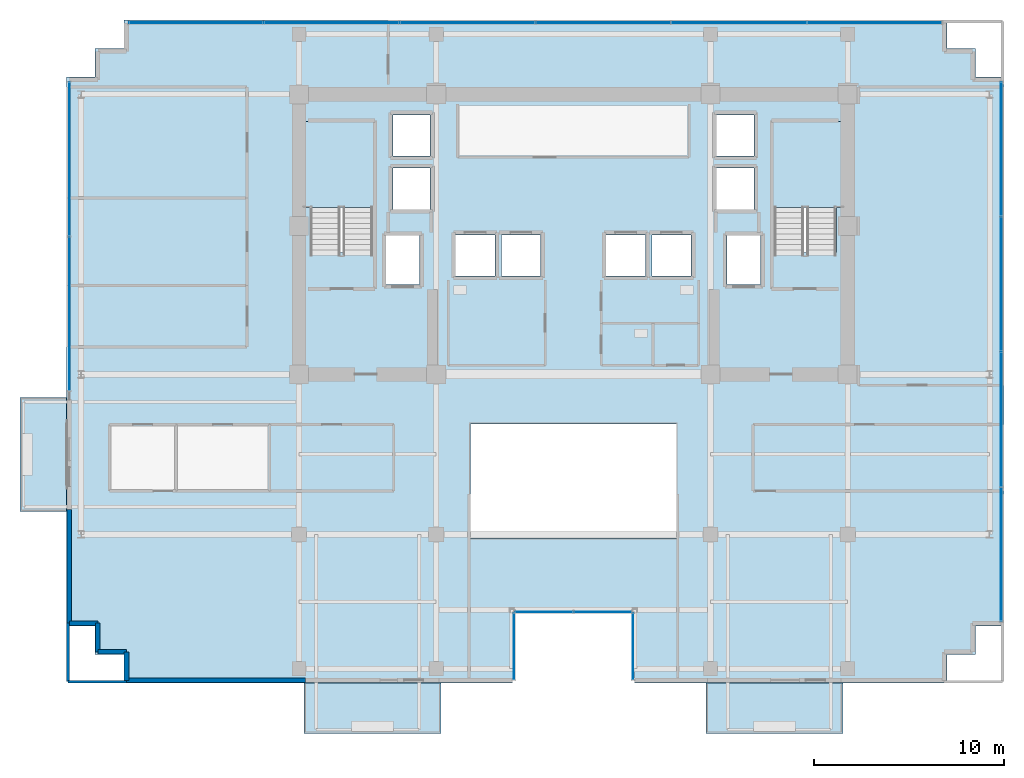
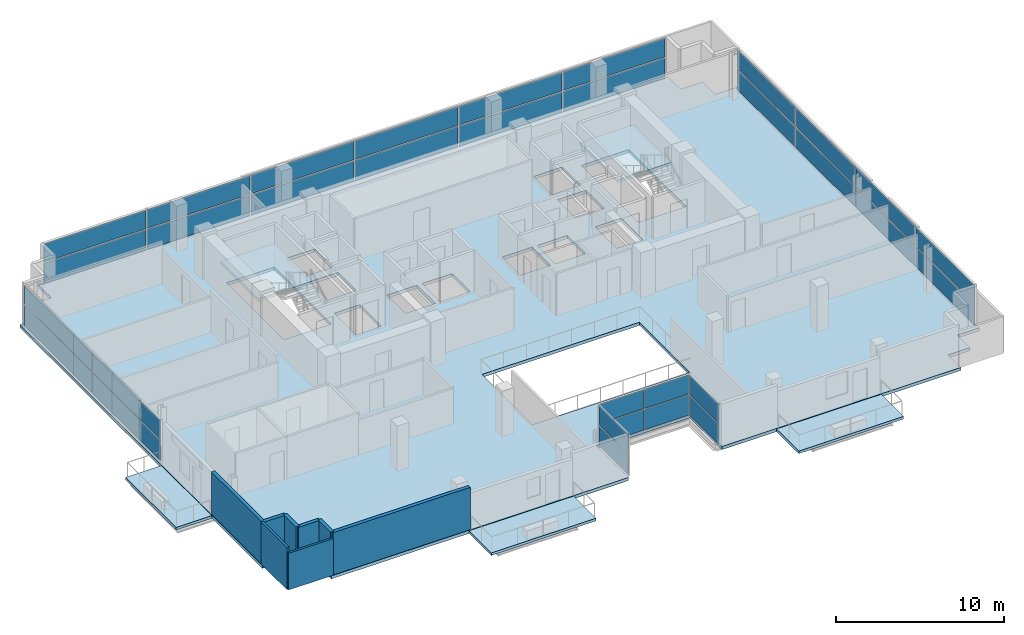
# One storey, part 13 of 21: 32 plates, 8 walls, 6 slabs, 8 elements without a shape of their own.
"""IFC4 building model written with IfcOpenShell, lengths in metres."""

from ifc_helpers import new_model, si_unit, direction, frame, frame_2d, origin, origin_2d, place, context, subcontext, project, spatial, polyline, rectangle, outline, extrude, source, transform, mapped, material, layer, layer_set, type_object, element, aggregate, save


model = new_model("IFC4")

# Units and contexts
model_context = context("Model", 3, precision=1e-05, world=origin(), true_north=direction((0.0, 1.0)))
body_context = subcontext(model_context, "Body", "Model", "MODEL_VIEW")
ifc_project = project(units=[si_unit("LENGTHUNIT", "METRE"), si_unit("AREAUNIT", "SQUARE_METRE"), si_unit("VOLUMEUNIT", "CUBIC_METRE"), si_unit("PLANEANGLEUNIT", "RADIAN"), si_unit("MASSUNIT", "GRAM", prefix="KILO")], contexts=[model_context])

# Site, building, storey
site_placement = place(None, origin())
site = spatial("IfcSite", under=ifc_project, at=site_placement, CompositionType="ELEMENT")
building_placement = place(site_placement, origin())
building = spatial("IfcBuilding", under=site, at=building_placement, Name="Zarnakvel Exchange Tower", CompositionType="ELEMENT")
storey_placement = place(building_placement, frame((0.0, 0.0, 166.0)))
storey = spatial("IfcBuildingStorey", under=building, at=storey_placement, Name="L46", CompositionType="ELEMENT", Elevation=166.0)

# Stair, slab
ifc_material_1 = material(Name="Concrete C40/50", Category="concrete")
stair_type = type_object("IfcStairType", Name="STR-01", PredefinedType="HALF_TURN_STAIR", material=ifc_material_1)
stair_1_placement = place(storey_placement, origin())
stair_1 = element("IfcStair", 1, at=stair_1_placement, inside=storey, type_object=stair_type, Name="L46 Protected Core Exit Stair ST-01", PredefinedType="HALF_TURN_STAIR")
ifc_layer_1 = layer(ifc_material_1, 0.199951171875)
ifc_layer_set_1 = layer_set([ifc_layer_1], Name="Concrete C40/50")
slab_type_1 = type_object("IfcSlabType", Name="LDG-01", PredefinedType="LANDING", material=ifc_layer_set_1)
slab_1_placement = place(storey_placement, frame((0.0, 0.0, 1.449951171875)))
slab_1 = element("IfcSlab", 2, at=slab_1_placement, type_object=slab_type_1, Name="ST-01 landing 1", PredefinedType="LANDING", context=body_context, shape_type="SweptSolid", body=[
    extrude(outline(polyline([(-14.18994140625, 7.570068359375), (-10.4599609375, 7.570068359375), (-10.4599609375, 12.080078125), (-14.18994140625, 12.080078125), (-14.18994140625, 7.570068359375)])), origin(), (0.0, 0.0, 1.0), 0.199951171875),
])
aggregate(stair_1, [slab_1])

stair_2_placement = place(storey_placement, origin())
stair_2 = element("IfcStair", 3, at=stair_2_placement, inside=storey, type_object=stair_type, Name="L46 Protected Core Exit Stair ST-02", PredefinedType="HALF_TURN_STAIR")
slab_2_placement = place(storey_placement, frame((0.0, 0.0, 1.449951171875)))
slab_2 = element("IfcSlab", 4, at=slab_2_placement, type_object=slab_type_1, Name="ST-02 landing 1", PredefinedType="LANDING", context=body_context, shape_type="SweptSolid", body=[
    extrude(outline(polyline([(10.4599609375, 7.570068359375), (14.18994140625, 7.570068359375), (14.18994140625, 12.080078125), (10.4599609375, 12.080078125), (10.4599609375, 7.570068359375)])), origin(), (0.0, 0.0, 1.0), 0.199951171875),
])
aggregate(stair_2, [slab_2])

# Slabs
ifc_layer_2 = layer(ifc_material_1, 0.22509765625)
ifc_layer_set_2 = layer_set([ifc_layer_2], Name="Concrete C40/50")
slab_type_2 = type_object("IfcSlabType", Name="SL-04", PredefinedType="FLOOR", material=ifc_layer_set_2)
slab_3_placement = place(storey_placement, frame((0.0, 0.0, -0.22509765625)))
element("IfcSlab", 5, at=slab_3_placement, inside=storey, type_object=slab_type_2, Name="L46 Primary Structural Floor Slab", PredefinedType="FLOOR", context=body_context, shape_type="SweptSolid", body=[
    extrude(outline(polyline([(-26.60009765625, -14.39990234375), (-25.10009765625, -14.39990234375), (-25.10009765625, -15.89990234375), (-23.60009765625, -15.89990234375), (-23.60009765625, -17.39990234375), (-3.199951171875, -17.39990234375), (-3.199951171875, -13.60009765625), (3.199951171875, -13.60009765625), (3.199951171875, -17.39990234375), (19.60009765625, -17.39990234375), (19.60009765625, -15.89990234375), (21.10009765625, -15.89990234375), (21.10009765625, -14.39990234375), (22.60009765625, -14.39990234375), (22.60009765625, 14.39990234375), (21.10009765625, 14.39990234375), (21.10009765625, 15.89990234375), (19.60009765625, 15.89990234375), (19.60009765625, 17.39990234375), (-23.60009765625, 17.39990234375), (-23.60009765625, 15.89990234375), (-25.10009765625, 15.89990234375), (-25.10009765625, 14.39990234375), (-26.60009765625, 14.39990234375), (-26.60009765625, -14.39990234375)]), holes=[polyline([(-5.39990234375, -9.800048828125), (5.39990234375, -9.800048828125), (5.39990234375, -3.800048828125), (-5.39990234375, -3.800048828125), (-5.39990234375, -9.800048828125)]), polyline([(-13.800048828125, 5.2099609375), (-10.5400390625, 5.2099609375), (-10.5400390625, 12.0), (-13.800048828125, 12.0), (-13.800048828125, 5.2099609375)]), polyline([(10.5400390625, 5.2099609375), (13.800048828125, 5.2099609375), (13.800048828125, 12.0), (10.5400390625, 12.0), (10.5400390625, 5.2099609375)]), polyline([(-9.830078125, 3.52001953125), (-8.070068359375, 3.52001953125), (-8.070068359375, 6.080078125), (-9.830078125, 6.080078125), (-9.830078125, 3.52001953125)]), polyline([(8.070068359375, 3.52001953125), (9.830078125, 3.52001953125), (9.830078125, 6.080078125), (8.070068359375, 6.080078125), (8.070068359375, 3.52001953125)]), polyline([(-6.179931640625, 3.969970703125), (-4.1201171875, 3.969970703125), (-4.1201171875, 6.1298828125), (-6.179931640625, 6.1298828125), (-6.179931640625, 3.969970703125)]), polyline([(-3.780029296875, 3.969970703125), (-1.719970703125, 3.969970703125), (-1.719970703125, 6.1298828125), (-3.780029296875, 6.1298828125), (-3.780029296875, 3.969970703125)]), polyline([(1.719970703125, 3.969970703125), (3.780029296875, 3.969970703125), (3.780029296875, 6.1298828125), (1.719970703125, 6.1298828125), (1.719970703125, 3.969970703125)]), polyline([(4.1201171875, 3.969970703125), (6.179931640625, 3.969970703125), (6.179931640625, 6.1298828125), (4.1201171875, 6.1298828125), (4.1201171875, 3.969970703125)]), polyline([(-9.47998046875, 7.469970703125), (-7.52001953125, 7.469970703125), (-7.52001953125, 9.6298828125), (-9.47998046875, 9.6298828125), (-9.47998046875, 7.469970703125)]), polyline([(-9.47998046875, 10.27001953125), (-7.52001953125, 10.27001953125), (-7.52001953125, 12.429931640625), (-9.47998046875, 12.429931640625), (-9.47998046875, 10.27001953125)]), polyline([(7.52001953125, 7.469970703125), (9.47998046875, 7.469970703125), (9.47998046875, 9.6298828125), (7.52001953125, 9.6298828125), (7.52001953125, 7.469970703125)]), polyline([(7.52001953125, 10.27001953125), (9.47998046875, 10.27001953125), (9.47998046875, 12.429931640625), (7.52001953125, 12.429931640625), (7.52001953125, 10.27001953125)])]), origin(), (0.0, 0.0, 1.0), 0.22509765625),
])
ifc_layer_3 = layer(ifc_material_1, 0.18994140625)
ifc_layer_set_3 = layer_set([ifc_layer_3], Name="Concrete C40/50")
slab_type_3 = type_object("IfcSlabType", Name="SL-08", PredefinedType="USERDEFINED", material=ifc_layer_set_3)
slab_4_placement = place(storey_placement, frame((0.0, 0.0, -0.22509765625)))
element("IfcSlab", 6, at=slab_4_placement, inside=storey, type_object=slab_type_3, Name="L46 Planted Loggia Balcony Slab BAL-L46-SW", ObjectType="BALCONY", PredefinedType="USERDEFINED", context=body_context, shape_type="SweptSolid", body=[
    extrude(outline(polyline([(-14.14990234375, -20.050048828125), (-6.949951171875, -20.050048828125), (-6.949951171875, -17.39990234375), (-14.14990234375, -17.39990234375), (-14.14990234375, -20.050048828125)])), origin(), (0.0, 0.0, 1.0), 0.190185546875),
])
slab_5_placement = place(storey_placement, frame((0.0, 0.0, -0.22509765625)))
element("IfcSlab", 7, at=slab_5_placement, inside=storey, type_object=slab_type_3, Name="L46 Planted Loggia Balcony Slab BAL-L46-SE", ObjectType="BALCONY", PredefinedType="USERDEFINED", context=body_context, shape_type="SweptSolid", body=[
    extrude(outline(polyline([(6.949951171875, -20.050048828125), (14.14990234375, -20.050048828125), (14.14990234375, -17.39990234375), (6.949951171875, -17.39990234375), (6.949951171875, -20.050048828125)])), origin(), (0.0, 0.0, 1.0), 0.190185546875),
])
slab_6_placement = place(storey_placement, frame((0.0, 0.0, -0.22509765625)))
element("IfcSlab", 8, at=slab_6_placement, inside=storey, type_object=slab_type_3, Name="L46 Planted Loggia Balcony Slab BAL-L46-W", ObjectType="BALCONY", PredefinedType="USERDEFINED", context=body_context, shape_type="SweptSolid", body=[
    extrude(outline(polyline([(-29.050048828125, -8.39990234375), (-26.60009765625, -8.39990234375), (-26.60009765625, -2.39990234375), (-29.050048828125, -2.39990234375), (-29.050048828125, -8.39990234375)])), origin(), (0.0, 0.0, 1.0), 0.190185546875),
])

# Curtain wall, plate
ifc_material_2 = material(Name="Architectural Bronze Anodised Aluminium", Category="aluminium")
ifc_layer_4 = layer(ifc_material_2, 0.179931640625)
ifc_layer_set_4 = layer_set([ifc_layer_4], Name="Architectural Bronze Anodised Aluminium")
curtain_wall_type_1 = type_object("IfcCurtainWallType", Name="CW-05", PredefinedType="NOTDEFINED", material=ifc_layer_set_4)
curtain_wall_1_placement = place(storey_placement, origin())
curtain_wall_1 = element("IfcCurtainWall", 9, at=curtain_wall_1_placement, inside=storey, type_object=curtain_wall_type_1, Name="L46 Curtain Wall CW-L46-SLW (CW-05)", PredefinedType="NOTDEFINED")
ifc_material_3 = material(Name="Double Low-E Laminated Vision Glass", Category="glass")
ifc_layer_5 = layer(ifc_material_3, 0.02587890625)
ifc_layer_set_5 = layer_set([ifc_layer_5], Name="Double Low-E Laminated Vision Glass")
plate_type_1 = type_object("IfcPlateType", Name="CWP-05", PredefinedType="CURTAIN_PANEL", material=ifc_layer_set_5)
shared_shape_1 = source(origin(), body_context, "Body", "SweptSolid", [
    extrude(rectangle(XDim=3.4599609375, YDim=0.02587890625, at=origin_2d()), origin(), (0.0, 0.0, 1.0), 1.483642578125),
])
plate_1_placement = place(storey_placement, frame((-3.1201171875, -15.47998046875, 0.06982421875), z_axis=(0.0, 0.0, 1.0), x_axis=(0.0, 1.0, 0.0)))
plate_1 = element("IfcPlate", 10, at=plate_1_placement, type_object=plate_type_1, Name="CW-05 panel 1.1", PredefinedType="CURTAIN_PANEL", context=body_context, shape_type="MappedRepresentation", body=[
    mapped(shared_shape_1, transform((0.0, 0.0, 0.0), x_axis=(1.0, 0.0, 0.0), y_axis=(0.0, 1.0, 0.0), z_axis=(0.0, 0.0, 1.0), scale=1.0)),
])

curtain_wall_2_placement = place(storey_placement, origin())
curtain_wall_2 = element("IfcCurtainWall", 11, at=curtain_wall_2_placement, inside=storey, type_object=curtain_wall_type_1, Name="L46 Curtain Wall CW-L46-SLE (CW-05)", PredefinedType="NOTDEFINED")
plate_2_placement = place(storey_placement, frame((3.1201171875, -15.47998046875, 0.06982421875), z_axis=(0.0, 0.0, 1.0), x_axis=(0.0, -1.0, 0.0)))
plate_2 = element("IfcPlate", 12, at=plate_2_placement, type_object=plate_type_1, Name="CW-05 panel 1.1", PredefinedType="CURTAIN_PANEL", context=body_context, shape_type="MappedRepresentation", body=[
    mapped(shared_shape_1, transform((0.0, 0.0, 0.0), x_axis=(1.0, 0.0, 0.0), y_axis=(0.0, 1.0, 0.0), z_axis=(0.0, 0.0, 1.0), scale=1.0)),
])

# Plate
shared_shape_2 = source(origin(), body_context, "Body", "SweptSolid", [
    extrude(rectangle(XDim=3.4599609375, YDim=0.02587890625, at=origin_2d()), origin(), (0.0, 0.0, 1.0), 1.361328125),
])
plate_3_placement = place(storey_placement, frame((-3.1201171875, -15.47998046875, 1.62353515625), z_axis=(0.0, 0.0, 1.0), x_axis=(0.0, 1.0, 0.0)))
plate_3 = element("IfcPlate", 13, at=plate_3_placement, type_object=plate_type_1, Name="CW-05 panel 1.2", PredefinedType="CURTAIN_PANEL", context=body_context, shape_type="MappedRepresentation", body=[
    mapped(shared_shape_2, transform((0.0, 0.0, 0.0), x_axis=(1.0, 0.0, 0.0), y_axis=(0.0, 1.0, 0.0), z_axis=(0.0, 0.0, 1.0), scale=1.0)),
])

aggregate(curtain_wall_1, [plate_1, plate_3])

plate_4_placement = place(storey_placement, frame((3.1201171875, -15.47998046875, 1.62353515625), z_axis=(0.0, 0.0, 1.0), x_axis=(0.0, -1.0, 0.0)))
plate_4 = element("IfcPlate", 14, at=plate_4_placement, type_object=plate_type_1, Name="CW-05 panel 1.2", PredefinedType="CURTAIN_PANEL", context=body_context, shape_type="MappedRepresentation", body=[
    mapped(shared_shape_2, transform((0.0, 0.0, 0.0), x_axis=(1.0, 0.0, 0.0), y_axis=(0.0, 1.0, 0.0), z_axis=(0.0, 0.0, 1.0), scale=1.0)),
])

aggregate(curtain_wall_2, [plate_2, plate_4])

# Curtain wall, plates
curtain_wall_3_placement = place(storey_placement, origin())
curtain_wall_3 = element("IfcCurtainWall", 15, at=curtain_wall_3_placement, inside=storey, type_object=curtain_wall_type_1, Name="L46 Curtain Wall CW-L46-SLB (CW-05)", PredefinedType="NOTDEFINED")
shared_shape_3 = source(origin(), body_context, "Body", "SweptSolid", [
    extrude(rectangle(XDim=3.014892578125, YDim=0.02587890625, at=origin_2d()), origin(), (0.0, 0.0, 1.0), 1.483642578125),
])
plate_5_placement = place(storey_placement, frame((-1.54248046875, -13.679931640625, 0.06982421875), z_axis=(0.0, 0.0, 1.0), x_axis=(1.0, 0.0, 0.0)))
plate_5 = element("IfcPlate", 16, at=plate_5_placement, type_object=plate_type_1, Name="CW-05 panel 1.1", PredefinedType="CURTAIN_PANEL", context=body_context, shape_type="MappedRepresentation", body=[
    mapped(shared_shape_3, transform((0.0, 0.0, 0.0), x_axis=(1.0, 0.0, 0.0), y_axis=(0.0, 1.0, 0.0), z_axis=(0.0, 0.0, 1.0), scale=1.0)),
])
plate_6_placement = place(storey_placement, frame((1.54248046875, -13.679931640625, 0.06982421875), z_axis=(0.0, 0.0, 1.0), x_axis=(1.0, 0.0, 0.0)))
plate_6 = element("IfcPlate", 17, at=plate_6_placement, type_object=plate_type_1, Name="CW-05 panel 2.1", PredefinedType="CURTAIN_PANEL", context=body_context, shape_type="MappedRepresentation", body=[
    mapped(shared_shape_3, transform((0.0, 0.0, 0.0), x_axis=(1.0, 0.0, 0.0), y_axis=(0.0, 1.0, 0.0), z_axis=(0.0, 0.0, 1.0), scale=1.0)),
])
shared_shape_4 = source(origin(), body_context, "Body", "SweptSolid", [
    extrude(rectangle(XDim=3.014892578125, YDim=0.02587890625, at=origin_2d()), origin(), (0.0, 0.0, 1.0), 1.361328125),
])
plate_7_placement = place(storey_placement, frame((-1.54248046875, -13.679931640625, 1.62353515625), z_axis=(0.0, 0.0, 1.0), x_axis=(1.0, 0.0, 0.0)))
plate_7 = element("IfcPlate", 18, at=plate_7_placement, type_object=plate_type_1, Name="CW-05 panel 1.2", PredefinedType="CURTAIN_PANEL", context=body_context, shape_type="MappedRepresentation", body=[
    mapped(shared_shape_4, transform((0.0, 0.0, 0.0), x_axis=(1.0, 0.0, 0.0), y_axis=(0.0, 1.0, 0.0), z_axis=(0.0, 0.0, 1.0), scale=1.0)),
])
plate_8_placement = place(storey_placement, frame((1.54248046875, -13.679931640625, 1.62353515625), z_axis=(0.0, 0.0, 1.0), x_axis=(1.0, 0.0, 0.0)))
plate_8 = element("IfcPlate", 19, at=plate_8_placement, type_object=plate_type_1, Name="CW-05 panel 2.2", PredefinedType="CURTAIN_PANEL", context=body_context, shape_type="MappedRepresentation", body=[
    mapped(shared_shape_4, transform((0.0, 0.0, 0.0), x_axis=(1.0, 0.0, 0.0), y_axis=(0.0, 1.0, 0.0), z_axis=(0.0, 0.0, 1.0), scale=1.0)),
])
aggregate(curtain_wall_3, [plate_5, plate_7, plate_6, plate_8])

ifc_layer_6 = layer(ifc_material_2, 0.219970703125)
ifc_layer_set_6 = layer_set([ifc_layer_6], Name="Architectural Bronze Anodised Aluminium")
curtain_wall_type_2 = type_object("IfcCurtainWallType", Name="CW-03", PredefinedType="NOTDEFINED", material=ifc_layer_set_6)
curtain_wall_4_placement = place(storey_placement, origin())
curtain_wall_4 = element("IfcCurtainWall", 20, at=curtain_wall_4_placement, inside=storey, type_object=curtain_wall_type_2, Name="L46 Curtain Wall CW-L46-N1 (CW-03)", PredefinedType="NOTDEFINED")
ifc_layer_7 = layer(ifc_material_3, 0.030029296875)
ifc_layer_set_7 = layer_set([ifc_layer_7], Name="Double Low-E Laminated Vision Glass")
plate_type_2 = type_object("IfcPlateType", Name="CWP-03", PredefinedType="CURTAIN_PANEL", material=ifc_layer_set_7)
shared_shape_5 = source(origin(), body_context, "Body", "SweptSolid", [
    extrude(rectangle(XDim=7.013427734375, YDim=0.030029296875, at=origin_2d()), origin(), (0.0, 0.0, 1.0), 1.468505859375),
])
plate_9_placement = place(storey_placement, frame((-19.813232421875, 17.260009765625, 0.080078125), z_axis=(0.0, 0.0, 1.0), x_axis=(1.0, 0.0, 0.0)))
plate_9 = element("IfcPlate", 21, at=plate_9_placement, type_object=plate_type_2, Name="CW-03 panel 1.1", PredefinedType="CURTAIN_PANEL", context=body_context, shape_type="MappedRepresentation", body=[
    mapped(shared_shape_5, transform((0.0, 0.0, 0.0), x_axis=(1.0, 0.0, 0.0), y_axis=(0.0, 1.0, 0.0), z_axis=(0.0, 0.0, 1.0), scale=1.0)),
])
plate_10_placement = place(storey_placement, frame((15.813232421875, 17.260009765625, 0.080078125), z_axis=(0.0, 0.0, 1.0), x_axis=(1.0, 0.0, 0.0)))
plate_10 = element("IfcPlate", 22, at=plate_10_placement, type_object=plate_type_2, Name="CW-03 panel 6.1", PredefinedType="CURTAIN_PANEL", context=body_context, shape_type="MappedRepresentation", body=[
    mapped(shared_shape_5, transform((0.0, 0.0, 0.0), x_axis=(1.0, 0.0, 0.0), y_axis=(0.0, 1.0, 0.0), z_axis=(0.0, 0.0, 1.0), scale=1.0)),
])
shared_shape_6 = source(origin(), body_context, "Body", "SweptSolid", [
    extrude(rectangle(XDim=7.013427734375, YDim=0.030029296875, at=origin_2d()), origin(), (0.0, 0.0, 1.0), 1.346435546875),
])
plate_11_placement = place(storey_placement, frame((-19.813232421875, 17.260009765625, 1.62841796875), z_axis=(0.0, 0.0, 1.0), x_axis=(1.0, 0.0, 0.0)))
plate_11 = element("IfcPlate", 23, at=plate_11_placement, type_object=plate_type_2, Name="CW-03 panel 1.2", PredefinedType="CURTAIN_PANEL", context=body_context, shape_type="MappedRepresentation", body=[
    mapped(shared_shape_6, transform((0.0, 0.0, 0.0), x_axis=(1.0, 0.0, 0.0), y_axis=(0.0, 1.0, 0.0), z_axis=(0.0, 0.0, 1.0), scale=1.0)),
])
plate_12_placement = place(storey_placement, frame((15.813232421875, 17.260009765625, 1.62841796875), z_axis=(0.0, 0.0, 1.0), x_axis=(1.0, 0.0, 0.0)))
plate_12 = element("IfcPlate", 24, at=plate_12_placement, type_object=plate_type_2, Name="CW-03 panel 6.2", PredefinedType="CURTAIN_PANEL", context=body_context, shape_type="MappedRepresentation", body=[
    mapped(shared_shape_6, transform((0.0, 0.0, 0.0), x_axis=(1.0, 0.0, 0.0), y_axis=(0.0, 1.0, 0.0), z_axis=(0.0, 0.0, 1.0), scale=1.0)),
])
shared_shape_7 = source(origin(), body_context, "Body", "SweptSolid", [
    extrude(rectangle(XDim=7.05322265625, YDim=0.030029296875, at=origin_2d()), origin(), (0.0, 0.0, 1.0), 1.468505859375),
])
plate_13_placement = place(storey_placement, frame((-12.699951171875, 17.260009765625, 0.080078125), z_axis=(0.0, 0.0, 1.0), x_axis=(1.0, 0.0, 0.0)))
plate_13 = element("IfcPlate", 25, at=plate_13_placement, type_object=plate_type_2, Name="CW-03 panel 2.1", PredefinedType="CURTAIN_PANEL", context=body_context, shape_type="MappedRepresentation", body=[
    mapped(shared_shape_7, transform((0.0, 0.0, 0.0), x_axis=(1.0, 0.0, 0.0), y_axis=(0.0, 1.0, 0.0), z_axis=(0.0, 0.0, 1.0), scale=1.0)),
])
plate_14_placement = place(storey_placement, frame((-5.566650390625, 17.260009765625, 0.080078125), z_axis=(0.0, 0.0, 1.0), x_axis=(1.0, 0.0, 0.0)))
plate_14 = element("IfcPlate", 26, at=plate_14_placement, type_object=plate_type_2, Name="CW-03 panel 3.1", PredefinedType="CURTAIN_PANEL", context=body_context, shape_type="MappedRepresentation", body=[
    mapped(shared_shape_7, transform((0.0, 0.0, 0.0), x_axis=(1.0, 0.0, 0.0), y_axis=(0.0, 1.0, 0.0), z_axis=(0.0, 0.0, 1.0), scale=1.0)),
])
plate_15_placement = place(storey_placement, frame((1.566650390625, 17.260009765625, 0.080078125), z_axis=(0.0, 0.0, 1.0), x_axis=(1.0, 0.0, 0.0)))
plate_15 = element("IfcPlate", 27, at=plate_15_placement, type_object=plate_type_2, Name="CW-03 panel 4.1", PredefinedType="CURTAIN_PANEL", context=body_context, shape_type="MappedRepresentation", body=[
    mapped(shared_shape_7, transform((0.0, 0.0, 0.0), x_axis=(1.0, 0.0, 0.0), y_axis=(0.0, 1.0, 0.0), z_axis=(0.0, 0.0, 1.0), scale=1.0)),
])
plate_16_placement = place(storey_placement, frame((8.699951171875, 17.260009765625, 0.080078125), z_axis=(0.0, 0.0, 1.0), x_axis=(1.0, 0.0, 0.0)))
plate_16 = element("IfcPlate", 28, at=plate_16_placement, type_object=plate_type_2, Name="CW-03 panel 5.1", PredefinedType="CURTAIN_PANEL", context=body_context, shape_type="MappedRepresentation", body=[
    mapped(shared_shape_7, transform((0.0, 0.0, 0.0), x_axis=(1.0, 0.0, 0.0), y_axis=(0.0, 1.0, 0.0), z_axis=(0.0, 0.0, 1.0), scale=1.0)),
])
shared_shape_8 = source(origin(), body_context, "Body", "SweptSolid", [
    extrude(rectangle(XDim=7.05322265625, YDim=0.030029296875, at=origin_2d()), origin(), (0.0, 0.0, 1.0), 1.346435546875),
])
plate_17_placement = place(storey_placement, frame((-12.699951171875, 17.260009765625, 1.62841796875), z_axis=(0.0, 0.0, 1.0), x_axis=(1.0, 0.0, 0.0)))
plate_17 = element("IfcPlate", 29, at=plate_17_placement, type_object=plate_type_2, Name="CW-03 panel 2.2", PredefinedType="CURTAIN_PANEL", context=body_context, shape_type="MappedRepresentation", body=[
    mapped(shared_shape_8, transform((0.0, 0.0, 0.0), x_axis=(1.0, 0.0, 0.0), y_axis=(0.0, 1.0, 0.0), z_axis=(0.0, 0.0, 1.0), scale=1.0)),
])
plate_18_placement = place(storey_placement, frame((-5.566650390625, 17.260009765625, 1.62841796875), z_axis=(0.0, 0.0, 1.0), x_axis=(1.0, 0.0, 0.0)))
plate_18 = element("IfcPlate", 30, at=plate_18_placement, type_object=plate_type_2, Name="CW-03 panel 3.2", PredefinedType="CURTAIN_PANEL", context=body_context, shape_type="MappedRepresentation", body=[
    mapped(shared_shape_8, transform((0.0, 0.0, 0.0), x_axis=(1.0, 0.0, 0.0), y_axis=(0.0, 1.0, 0.0), z_axis=(0.0, 0.0, 1.0), scale=1.0)),
])
plate_19_placement = place(storey_placement, frame((1.566650390625, 17.260009765625, 1.62841796875), z_axis=(0.0, 0.0, 1.0), x_axis=(1.0, 0.0, 0.0)))
plate_19 = element("IfcPlate", 31, at=plate_19_placement, type_object=plate_type_2, Name="CW-03 panel 4.2", PredefinedType="CURTAIN_PANEL", context=body_context, shape_type="MappedRepresentation", body=[
    mapped(shared_shape_8, transform((0.0, 0.0, 0.0), x_axis=(1.0, 0.0, 0.0), y_axis=(0.0, 1.0, 0.0), z_axis=(0.0, 0.0, 1.0), scale=1.0)),
])
plate_20_placement = place(storey_placement, frame((8.699951171875, 17.260009765625, 1.62841796875), z_axis=(0.0, 0.0, 1.0), x_axis=(1.0, 0.0, 0.0)))
plate_20 = element("IfcPlate", 32, at=plate_20_placement, type_object=plate_type_2, Name="CW-03 panel 5.2", PredefinedType="CURTAIN_PANEL", context=body_context, shape_type="MappedRepresentation", body=[
    mapped(shared_shape_8, transform((0.0, 0.0, 0.0), x_axis=(1.0, 0.0, 0.0), y_axis=(0.0, 1.0, 0.0), z_axis=(0.0, 0.0, 1.0), scale=1.0)),
])
aggregate(curtain_wall_4, [plate_9, plate_11, plate_13, plate_17, plate_14, plate_18, plate_15, plate_19, plate_16, plate_20, plate_10, plate_12])

ifc_layer_8 = layer(ifc_material_2, 0.199951171875)
ifc_layer_set_8 = layer_set([ifc_layer_8], Name="Architectural Bronze Anodised Aluminium")
curtain_wall_type_3 = type_object("IfcCurtainWallType", Name="CW-04", PredefinedType="NOTDEFINED", material=ifc_layer_set_8)
curtain_wall_5_placement = place(storey_placement, origin())
curtain_wall_5 = element("IfcCurtainWall", 33, at=curtain_wall_5_placement, inside=storey, type_object=curtain_wall_type_3, Name="L46 Curtain Wall CW-L46-WN (CW-04)", PredefinedType="NOTDEFINED")
ifc_layer_9 = layer(ifc_material_3, 0.028076171875)
ifc_layer_set_9 = layer_set([ifc_layer_9], Name="Double Low-E Laminated Vision Glass")
plate_type_3 = type_object("IfcPlateType", Name="CWP-04", PredefinedType="CURTAIN_PANEL", material=ifc_layer_set_9)
shared_shape_9 = source(origin(), body_context, "Body", "SweptSolid", [
    extrude(rectangle(XDim=8.03759765625, YDim=0.028076171875, at=origin_2d()), origin(), (0.0, 0.0, 1.0), 1.47607421875),
])
plate_21_placement = place(storey_placement, frame((-26.4599609375, 1.99365234375, 0.074951171875), z_axis=(0.0, 0.0, 1.0), x_axis=(0.0, 1.0, 0.0)))
plate_21 = element("IfcPlate", 34, at=plate_21_placement, type_object=plate_type_3, Name="CW-04 panel 1.1", PredefinedType="CURTAIN_PANEL", context=body_context, shape_type="MappedRepresentation", body=[
    mapped(shared_shape_9, transform((0.0, 0.0, 0.0), x_axis=(1.0, 0.0, 0.0), y_axis=(0.0, 1.0, 0.0), z_axis=(0.0, 0.0, 1.0), scale=1.0)),
])
plate_22_placement = place(storey_placement, frame((-26.4599609375, 10.106201171875, 0.074951171875), z_axis=(0.0, 0.0, 1.0), x_axis=(0.0, 1.0, 0.0)))
plate_22 = element("IfcPlate", 35, at=plate_22_placement, type_object=plate_type_3, Name="CW-04 panel 2.1", PredefinedType="CURTAIN_PANEL", context=body_context, shape_type="MappedRepresentation", body=[
    mapped(shared_shape_9, transform((0.0, 0.0, 0.0), x_axis=(1.0, 0.0, 0.0), y_axis=(0.0, 1.0, 0.0), z_axis=(0.0, 0.0, 1.0), scale=1.0)),
])
shared_shape_10 = source(origin(), body_context, "Body", "SweptSolid", [
    extrude(rectangle(XDim=8.03759765625, YDim=0.028076171875, at=origin_2d()), origin(), (0.0, 0.0, 1.0), 1.35400390625),
])
plate_23_placement = place(storey_placement, frame((-26.4599609375, 1.99365234375, 1.6259765625), z_axis=(0.0, 0.0, 1.0), x_axis=(0.0, 1.0, 0.0)))
plate_23 = element("IfcPlate", 36, at=plate_23_placement, type_object=plate_type_3, Name="CW-04 panel 1.2", PredefinedType="CURTAIN_PANEL", context=body_context, shape_type="MappedRepresentation", body=[
    mapped(shared_shape_10, transform((0.0, 0.0, 0.0), x_axis=(1.0, 0.0, 0.0), y_axis=(0.0, 1.0, 0.0), z_axis=(0.0, 0.0, 1.0), scale=1.0)),
])
plate_24_placement = place(storey_placement, frame((-26.4599609375, 10.106201171875, 1.6259765625), z_axis=(0.0, 0.0, 1.0), x_axis=(0.0, 1.0, 0.0)))
plate_24 = element("IfcPlate", 37, at=plate_24_placement, type_object=plate_type_3, Name="CW-04 panel 2.2", PredefinedType="CURTAIN_PANEL", context=body_context, shape_type="MappedRepresentation", body=[
    mapped(shared_shape_10, transform((0.0, 0.0, 0.0), x_axis=(1.0, 0.0, 0.0), y_axis=(0.0, 1.0, 0.0), z_axis=(0.0, 0.0, 1.0), scale=1.0)),
])
aggregate(curtain_wall_5, [plate_21, plate_23, plate_22, plate_24])

curtain_wall_6_placement = place(storey_placement, origin())
curtain_wall_6 = element("IfcCurtainWall", 38, at=curtain_wall_6_placement, inside=storey, type_object=curtain_wall_type_3, Name="L46 Curtain Wall CW-L46-E1 (CW-04)", PredefinedType="NOTDEFINED")
shared_shape_11 = source(origin(), body_context, "Body", "SweptSolid", [
    extrude(rectangle(XDim=6.987548828125, YDim=0.028076171875, at=origin_2d()), origin(), (0.0, 0.0, 1.0), 1.47607421875),
])
plate_25_placement = place(storey_placement, frame((22.4599609375, -10.63134765625, 0.074951171875), z_axis=(0.0, 0.0, 1.0), x_axis=(0.0, 1.0, 0.0)))
plate_25 = element("IfcPlate", 39, at=plate_25_placement, type_object=plate_type_3, Name="CW-04 panel 1.1", PredefinedType="CURTAIN_PANEL", context=body_context, shape_type="MappedRepresentation", body=[
    mapped(shared_shape_11, transform((0.0, 0.0, 0.0), x_axis=(1.0, 0.0, 0.0), y_axis=(0.0, 1.0, 0.0), z_axis=(0.0, 0.0, 1.0), scale=1.0)),
])
plate_26_placement = place(storey_placement, frame((22.4599609375, 10.63134765625, 0.074951171875), z_axis=(0.0, 0.0, 1.0), x_axis=(0.0, 1.0, 0.0)))
plate_26 = element("IfcPlate", 40, at=plate_26_placement, type_object=plate_type_3, Name="CW-04 panel 4.1", PredefinedType="CURTAIN_PANEL", context=body_context, shape_type="MappedRepresentation", body=[
    mapped(shared_shape_11, transform((0.0, 0.0, 0.0), x_axis=(1.0, 0.0, 0.0), y_axis=(0.0, 1.0, 0.0), z_axis=(0.0, 0.0, 1.0), scale=1.0)),
])
shared_shape_12 = source(origin(), body_context, "Body", "SweptSolid", [
    extrude(rectangle(XDim=6.987548828125, YDim=0.028076171875, at=origin_2d()), origin(), (0.0, 0.0, 1.0), 1.35400390625),
])
plate_27_placement = place(storey_placement, frame((22.4599609375, -10.63134765625, 1.6259765625), z_axis=(0.0, 0.0, 1.0), x_axis=(0.0, 1.0, 0.0)))
plate_27 = element("IfcPlate", 41, at=plate_27_placement, type_object=plate_type_3, Name="CW-04 panel 1.2", PredefinedType="CURTAIN_PANEL", context=body_context, shape_type="MappedRepresentation", body=[
    mapped(shared_shape_12, transform((0.0, 0.0, 0.0), x_axis=(1.0, 0.0, 0.0), y_axis=(0.0, 1.0, 0.0), z_axis=(0.0, 0.0, 1.0), scale=1.0)),
])
plate_28_placement = place(storey_placement, frame((22.4599609375, 10.63134765625, 1.6259765625), z_axis=(0.0, 0.0, 1.0), x_axis=(0.0, 1.0, 0.0)))
plate_28 = element("IfcPlate", 42, at=plate_28_placement, type_object=plate_type_3, Name="CW-04 panel 4.2", PredefinedType="CURTAIN_PANEL", context=body_context, shape_type="MappedRepresentation", body=[
    mapped(shared_shape_12, transform((0.0, 0.0, 0.0), x_axis=(1.0, 0.0, 0.0), y_axis=(0.0, 1.0, 0.0), z_axis=(0.0, 0.0, 1.0), scale=1.0)),
])
shared_shape_13 = source(origin(), body_context, "Body", "SweptSolid", [
    extrude(rectangle(XDim=7.02490234375, YDim=0.028076171875, at=origin_2d()), origin(), (0.0, 0.0, 1.0), 1.47607421875),
])
plate_29_placement = place(storey_placement, frame((22.4599609375, -3.550048828125, 0.074951171875), z_axis=(0.0, 0.0, 1.0), x_axis=(0.0, 1.0, 0.0)))
plate_29 = element("IfcPlate", 43, at=plate_29_placement, type_object=plate_type_3, Name="CW-04 panel 2.1", PredefinedType="CURTAIN_PANEL", context=body_context, shape_type="MappedRepresentation", body=[
    mapped(shared_shape_13, transform((0.0, 0.0, 0.0), x_axis=(1.0, 0.0, 0.0), y_axis=(0.0, 1.0, 0.0), z_axis=(0.0, 0.0, 1.0), scale=1.0)),
])
plate_30_placement = place(storey_placement, frame((22.4599609375, 3.550048828125, 0.074951171875), z_axis=(0.0, 0.0, 1.0), x_axis=(0.0, 1.0, 0.0)))
plate_30 = element("IfcPlate", 44, at=plate_30_placement, type_object=plate_type_3, Name="CW-04 panel 3.1", PredefinedType="CURTAIN_PANEL", context=body_context, shape_type="MappedRepresentation", body=[
    mapped(shared_shape_13, transform((0.0, 0.0, 0.0), x_axis=(1.0, 0.0, 0.0), y_axis=(0.0, 1.0, 0.0), z_axis=(0.0, 0.0, 1.0), scale=1.0)),
])
shared_shape_14 = source(origin(), body_context, "Body", "SweptSolid", [
    extrude(rectangle(XDim=7.02490234375, YDim=0.028076171875, at=origin_2d()), origin(), (0.0, 0.0, 1.0), 1.35400390625),
])
plate_31_placement = place(storey_placement, frame((22.4599609375, -3.550048828125, 1.6259765625), z_axis=(0.0, 0.0, 1.0), x_axis=(0.0, 1.0, 0.0)))
plate_31 = element("IfcPlate", 45, at=plate_31_placement, type_object=plate_type_3, Name="CW-04 panel 2.2", PredefinedType="CURTAIN_PANEL", context=body_context, shape_type="MappedRepresentation", body=[
    mapped(shared_shape_14, transform((0.0, 0.0, 0.0), x_axis=(1.0, 0.0, 0.0), y_axis=(0.0, 1.0, 0.0), z_axis=(0.0, 0.0, 1.0), scale=1.0)),
])
plate_32_placement = place(storey_placement, frame((22.4599609375, 3.550048828125, 1.6259765625), z_axis=(0.0, 0.0, 1.0), x_axis=(0.0, 1.0, 0.0)))
plate_32 = element("IfcPlate", 46, at=plate_32_placement, type_object=plate_type_3, Name="CW-04 panel 3.2", PredefinedType="CURTAIN_PANEL", context=body_context, shape_type="MappedRepresentation", body=[
    mapped(shared_shape_14, transform((0.0, 0.0, 0.0), x_axis=(1.0, 0.0, 0.0), y_axis=(0.0, 1.0, 0.0), z_axis=(0.0, 0.0, 1.0), scale=1.0)),
])
aggregate(curtain_wall_6, [plate_25, plate_27, plate_29, plate_31, plate_30, plate_32, plate_26, plate_28])

# Walls
ifc_material_4 = material(Name="Precast concrete C40/50", Category="concrete")
ifc_layer_10 = layer(ifc_material_4, 0.239990234375)
ifc_layer_set_10 = layer_set([ifc_layer_10], Name="Precast concrete C40/50")
wall_type_1 = type_object("IfcWallType", Name="EW-02", PredefinedType="SOLIDWALL", material=ifc_layer_set_10)
wall_1_placement = place(storey_placement, frame((-26.4599609375, -8.300048828125, 0.0), z_axis=(0.0, 0.0, 1.0), x_axis=(0.0, -1.0, 0.0)))
element("IfcWall", 47, at=wall_1_placement, inside=storey, type_object=wall_type_1, Name="L46 Exterior Precast Spandrel Wall EWC-L46-01 (EW-02)", PredefinedType="SOLIDWALL", context=body_context, shape_type="SweptSolid", body=[
    extrude(rectangle(XDim=5.9599609375, YDim=0.239990234375, at=frame_2d((2.97998046875, 0.0))), origin(), (0.0, 0.0, 1.0), 3.074951171875),
])
wall_2_placement = place(storey_placement, frame((-23.4599609375, -17.260009765625, 0.0), z_axis=(0.0, 0.0, 1.0), x_axis=(1.0, 0.0, 0.0)))
element("IfcWall", 48, at=wall_2_placement, inside=storey, type_object=wall_type_1, Name="L46 Exterior Precast Spandrel Wall EWC-L46-22 (EW-02)", PredefinedType="SOLIDWALL", context=body_context, shape_type="SweptSolid", body=[
    extrude(rectangle(XDim=9.409912109375, YDim=0.239990234375, at=frame_2d((4.705078125, 0.0))), origin(), (0.0, 0.0, 1.0), 3.074951171875),
])
for number, where, z_axis, x_axis, name in (
    (49, (-23.4599609375, -15.760009765625, 0.0), (0.0, 0.0, 1.0), (0.0, -1.0, 0.0), "L46 Exterior Precast Spandrel Wall EWC-L46-23 (EW-02)"),
    (50, (-24.9599609375, -15.760009765625, 0.0), (0.0, 0.0, 1.0), (1.0, 0.0, 0.0), "L46 Exterior Precast Spandrel Wall EWC-L46-24 (EW-02)"),
    (51, (-24.9599609375, -14.260009765625, 0.0), (0.0, 0.0, 1.0), (0.0, -1.0, 0.0), "L46 Exterior Precast Spandrel Wall EWC-L46-25 (EW-02)"),
    (52, (-26.4599609375, -14.260009765625, 0.0), (0.0, 0.0, 1.0), (1.0, 0.0, 0.0), "L46 Exterior Precast Spandrel Wall EWC-L46-26 (EW-02)"),
):
    element("IfcWall", number, at=place(storey_placement, frame(where, z_axis=z_axis, x_axis=x_axis)), inside=storey, type_object=wall_type_1, Name=name, PredefinedType="SOLIDWALL", context=body_context, shape_type="SweptSolid", body=[
        extrude(rectangle(XDim=1.5, YDim=0.239990234375, at=frame_2d((0.75, 0.0))), origin(), (0.0, 0.0, 1.0), 3.074951171875),
    ])
ifc_material_5 = material(Name="Fire-Rated Gypsum Stud Partition", Category="gypsum")
ifc_layer_11 = layer(ifc_material_5, 0.14990234375)
ifc_layer_set_11 = layer_set([ifc_layer_11], Name="Fire-Rated Gypsum Stud Partition")
wall_type_2 = type_object("IfcWallType", Name="PT-01", PredefinedType="PARTITIONING", material=ifc_layer_set_11)
wall_3_placement = place(storey_placement, frame((-23.4599609375, -17.330078125, 0.0), z_axis=(0.0, 0.0, 1.0), x_axis=(-1.0, 0.0, 0.0)))
element("IfcWall", 53, at=wall_3_placement, inside=storey, type_object=wall_type_2, Name="L46 Partition Wall PWALL-L46-035 (PT-01)", PredefinedType="PARTITIONING", context=body_context, shape_type="SweptSolid", body=[
    extrude(rectangle(XDim=3.070068359375, YDim=0.14990234375, at=frame_2d((1.53515625, 0.0))), origin(), (0.0, 0.0, 1.0), 2.6650390625),
])
wall_4_placement = place(storey_placement, frame((-26.530029296875, -17.330078125, 0.0), z_axis=(0.0, 0.0, 1.0), x_axis=(0.0, 1.0, 0.0)))
element("IfcWall", 54, at=wall_4_placement, inside=storey, type_object=wall_type_2, Name="L46 Partition Wall PWALL-L46-036 (PT-01)", PredefinedType="PARTITIONING", context=body_context, shape_type="SweptSolid", body=[
    extrude(rectangle(XDim=3.070068359375, YDim=0.14990234375, at=frame_2d((1.53515625, 0.0))), origin(), (0.0, 0.0, 1.0), 3.074951171875),
])

save(model, "model.ifc")
